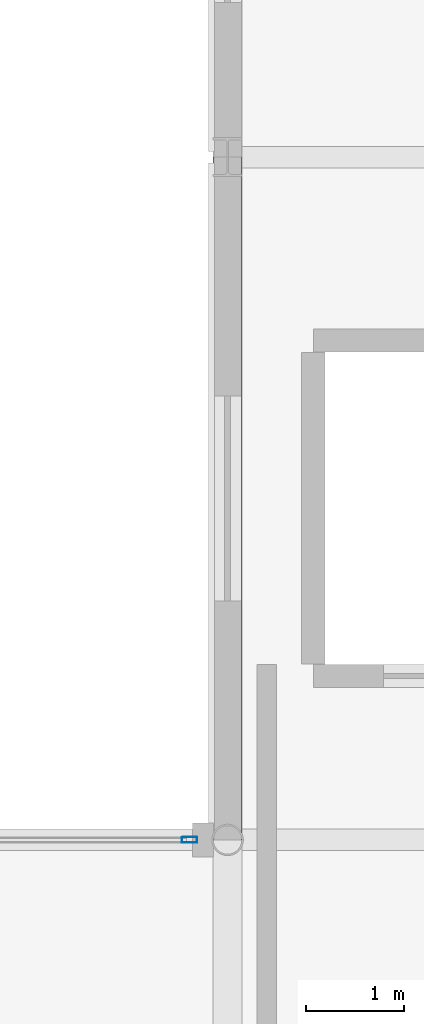
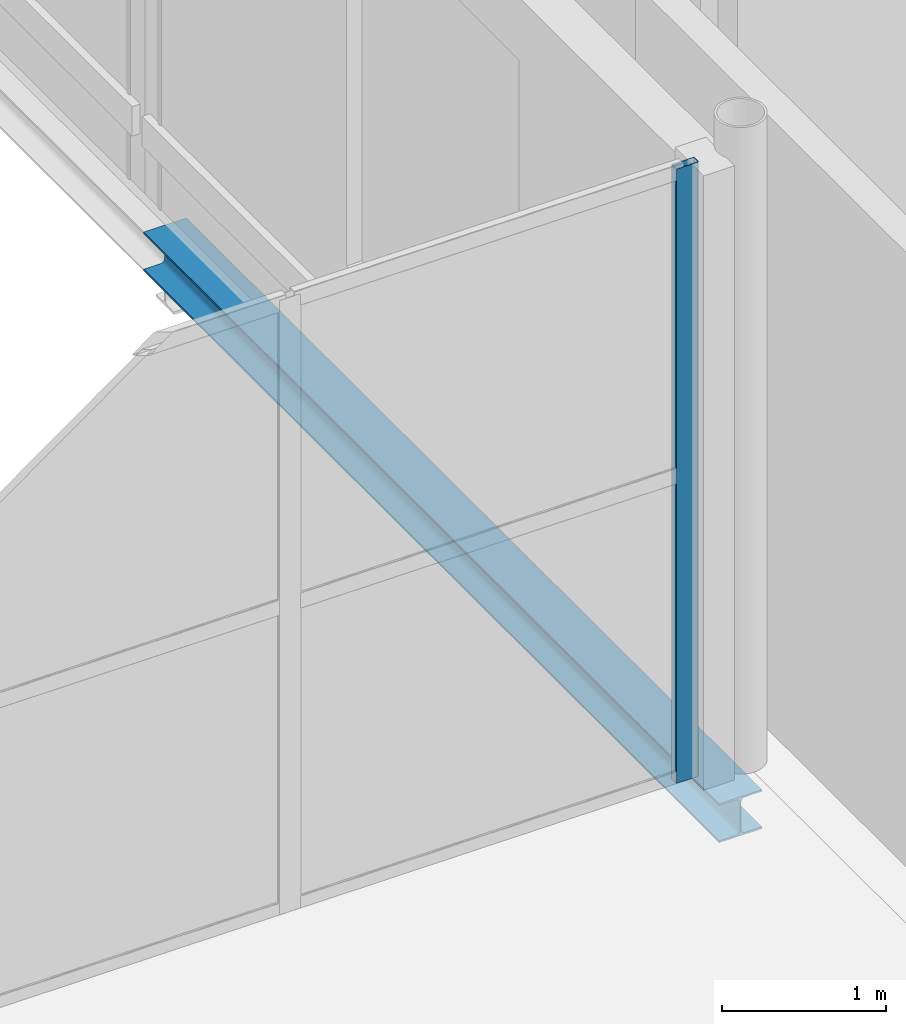
# One storey, part 69 of 120: 1 beam, 1 member, 1 element without a shape of its own.
"""IFC4 building model written with IfcOpenShell, lengths in metres."""

from ifc_helpers import new_model, si_unit, direction, frame, origin, origin_2d, place, context, subcontext, project, spatial, hollow_rectangle, i_section, extrude, material, layer, layer_set, material_profile, profile_set, type_object, element, aggregate, save


model = new_model("IFC4")

# Units and contexts
model_context = context("Model", 3, precision=1e-05, world=origin(), true_north=direction((0.0, 1.0)))
body_context = subcontext(model_context, "Body", "Model", "MODEL_VIEW")
ifc_project = project(units=[si_unit("LENGTHUNIT", "METRE"), si_unit("AREAUNIT", "SQUARE_METRE"), si_unit("VOLUMEUNIT", "CUBIC_METRE"), si_unit("PLANEANGLEUNIT", "RADIAN"), si_unit("MASSUNIT", "GRAM", prefix="KILO")], contexts=[model_context])

# Site, building, storey
site_placement = place(None, origin())
site = spatial("IfcSite", under=ifc_project, at=site_placement, CompositionType="ELEMENT")
building_placement = place(site_placement, origin())
building = spatial("IfcBuilding", under=site, at=building_placement, Name="Vekula Escarpment Museum", CompositionType="ELEMENT")
storey_placement = place(building_placement, frame((0.0, 0.0, 13.199951171875)))
storey = spatial("IfcBuildingStorey", under=building, at=storey_placement, Name="L03", CompositionType="ELEMENT", Elevation=13.199951171875)

# Beam
ifc_material_1 = material(Name="Steel S355", Category="steel")
ifc_material_profile_1 = material_profile(ifc_material_1, i_section(OverallWidth=0.300048828125, OverallDepth=0.2900390625, WebThickness=0.008544921875, FlangeThickness=0.013916015625, FilletRadius=0.027099609375, at=origin_2d()), Name="HEA 300")
ifc_profile_set_1 = profile_set([ifc_material_profile_1], Name="Steel S355")
beam_type = type_object("IfcBeamType", Name="BM-SPAN-HEA300", PredefinedType="SPANDREL", material=ifc_profile_set_1)
beam_placement = place(storey_placement, frame((167.0, 76.39990234375, -0.425048828125), z_axis=(0.0, 1.0, 0.0), x_axis=(-1.0, 0.0, 0.0)))
element("IfcBeam", 1, at=beam_placement, inside=storey, type_object=beam_type, Name="Beam Y L03 1649", PredefinedType="SPANDREL", context=body_context, shape_type="SweptSolid", body=[
    extrude(i_section(OverallWidth=0.300048828125, OverallDepth=0.2900390625, WebThickness=0.008544921875, FlangeThickness=0.013916015625, FilletRadius=0.027099609375, at=origin_2d()), origin(), (0.0, 0.0, 1.0), 7.0),
])

# Curtain wall, member
ifc_material_2 = material(Name="Aluminium thermally broken framing", Category="aluminium")
ifc_layer = layer(ifc_material_2, 0.179931640625)
ifc_layer_set = layer_set([ifc_layer], Name="Aluminium thermally broken framing")
curtain_wall_type = type_object("IfcCurtainWallType", Name="CW-SYS-07", PredefinedType="NOTDEFINED", material=ifc_layer_set)
curtain_wall_placement = place(storey_placement, origin())
curtain_wall = element("IfcCurtainWall", 2, at=curtain_wall_placement, inside=storey, type_object=curtain_wall_type, Name="Curtain Wall CW-L03-117", PredefinedType="NOTDEFINED")
ifc_material_3 = material(Name="Aluminium anodized mullion", Category="aluminium")
ifc_material_profile_2 = material_profile(ifc_material_3, hollow_rectangle(XDim=0.06005859375, YDim=0.159912109375, WallThickness=0.00390625, InnerFilletRadius=0.00390625, OuterFilletRadius=0.008056640625, at=origin_2d()), Name="ALU 160x60x4")
ifc_profile_set_2 = profile_set([ifc_material_profile_2], Name="Aluminium anodized mullion")
member_type = type_object("IfcMemberType", Name="CW-MUL-160", PredefinedType="MULLION", material=ifc_profile_set_2)
member_placement = place(storey_placement, frame((166.610107421875, 76.39990234375, 0.0), z_axis=(0.0, 0.0, 1.0), x_axis=(0.0, -1.0, 0.0)))
member = element("IfcMember", 3, at=member_placement, type_object=member_type, Name="CW-07 mullion 1", PredefinedType="MULLION", context=body_context, shape_type="SweptSolid", body=[
    extrude(hollow_rectangle(XDim=0.06005859375, YDim=0.159912109375, WallThickness=0.00390625, InnerFilletRadius=0.00390625, OuterFilletRadius=0.008056640625, at=origin_2d()), origin(), (0.0, 0.0, 1.0), 4.56005859375),
])
aggregate(curtain_wall, [member])

save(model, "model.ifc")
